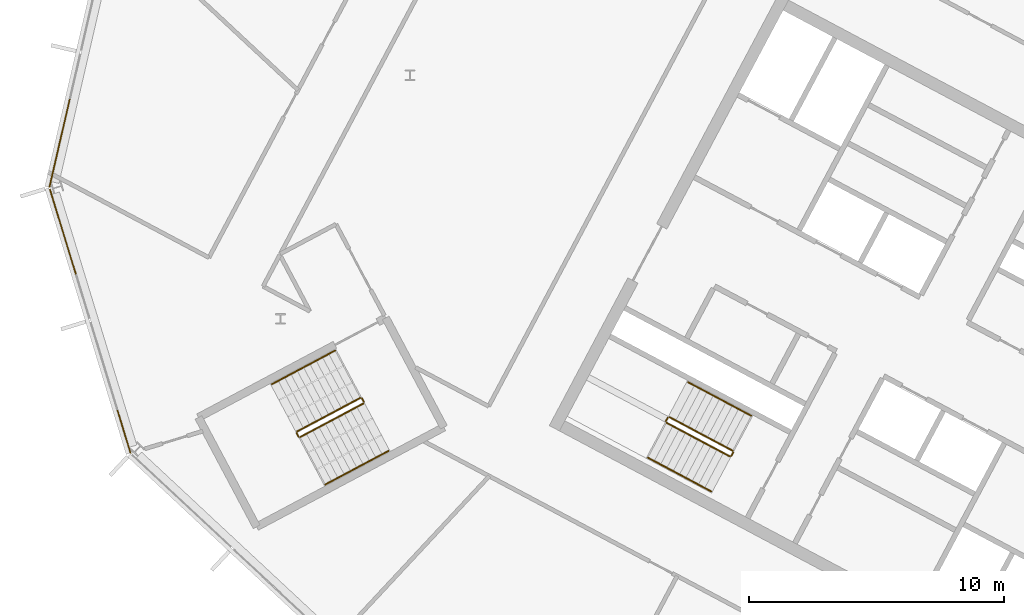
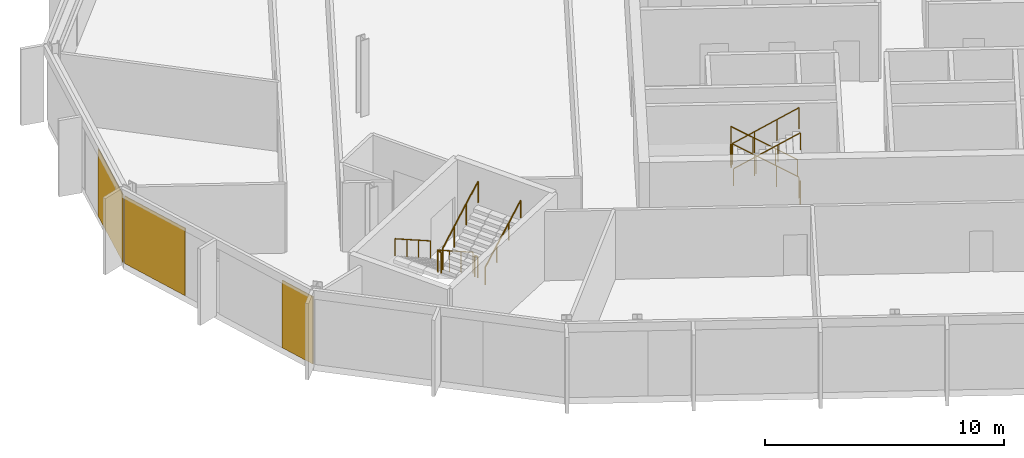
# One storey, part 20 of 25: 12 railings, 3 coverings, 2 elements without a shape of their own.
"""IFC4 building model written with IfcOpenShell, lengths in metres."""

from ifc_helpers import new_model, si_unit, direction, frame, origin, origin_2d, place, context, subcontext, project, spatial, polyline, rectangle, outline, extrude, material, layer, layer_set, type_object, element, aggregate, save


model = new_model("IFC4")

# Units and contexts
model_context = context("Model", 3, precision=1e-05, world=origin(), true_north=direction((0.0, 1.0)))
body_context = subcontext(model_context, "Body", "Model", "MODEL_VIEW")
ifc_project = project(units=[si_unit("LENGTHUNIT", "METRE"), si_unit("AREAUNIT", "SQUARE_METRE"), si_unit("VOLUMEUNIT", "CUBIC_METRE"), si_unit("PLANEANGLEUNIT", "RADIAN"), si_unit("MASSUNIT", "GRAM", prefix="KILO")], contexts=[model_context])

# Site, building, storey
site_placement = place(None, origin())
site = spatial("IfcSite", under=ifc_project, at=site_placement, CompositionType="ELEMENT")
building_placement = place(site_placement, origin())
building = spatial("IfcBuilding", under=site, at=building_placement, Name="Cormorant Relay Tower", CompositionType="ELEMENT")
storey_placement = place(building_placement, frame((0.0, 0.0, 297.0)))
storey = spatial("IfcBuildingStorey", under=building, at=storey_placement, Name="L67", CompositionType="ELEMENT", Elevation=297.0)

# Curtain wall, covering
ifc_material_1 = material(Name="Aluminium 6063-T6 anodised bronze", Category="aluminium")
ifc_layer_1 = layer(ifc_material_1, 0.199951171875)
ifc_layer_set_1 = layer_set([ifc_layer_1], Name="CW1 unitised bronze curtain wall with vertical fins")
curtain_wall_type = type_object("IfcCurtainWallType", Name="CW1 unitised bronze curtain wall with vertical fins", PredefinedType="NOTDEFINED", material=ifc_layer_set_1)
curtain_wall_1_placement = place(storey_placement, origin())
curtain_wall_1 = element("IfcCurtainWall", 1, at=curtain_wall_1_placement, inside=storey, type_object=curtain_wall_type, Name="CW1 curtain wall 13", PredefinedType="NOTDEFINED")
ifc_material_2 = material(Name="Pale bronze anodised aluminium insulated panel", Category="aluminium")
ifc_layer_2 = layer(ifc_material_2, 0.0400390625)
ifc_layer_set_2 = layer_set([ifc_layer_2], Name="CW1 pale bronze insulated panel 40")
covering_type = type_object("IfcCoveringType", Name="CW1 pale bronze insulated panel 40", PredefinedType="CLADDING", material=ifc_layer_set_2)
covering_1_placement = place(storey_placement, frame((-60.3388671875, 22.13232421875, 0.0), z_axis=(0.0, 0.0, 1.0), x_axis=(-0.224951054344, -0.974370064785, 0.0)))
covering_1 = element("IfcCovering", 2, at=covering_1_placement, type_object=covering_type, Name="CW1 panel S02", PredefinedType="CLADDING", context=body_context, shape_type="SweptSolid", body=[
    extrude(rectangle(XDim=3.560302734375, YDim=0.0400390625, at=origin_2d()), origin(), (0.0, 0.0, 1.0), 3.449951171875),
])
aggregate(curtain_wall_1, [covering_1])

# Curtain wall, coverings
curtain_wall_2_placement = place(storey_placement, origin())
curtain_wall_2 = element("IfcCurtainWall", 3, at=curtain_wall_2_placement, inside=storey, type_object=curtain_wall_type, Name="CW1 curtain wall 14", PredefinedType="NOTDEFINED")
covering_2_placement = place(storey_placement, frame((-60.20751953125, 18.6494140625, 0.0), z_axis=(0.0, 0.0, 1.0), x_axis=(0.292371704723, -0.956304755963, 0.0)))
covering_2 = element("IfcCovering", 4, at=covering_2_placement, type_object=covering_type, Name="CW1 panel S00", PredefinedType="CLADDING", context=body_context, shape_type="SweptSolid", body=[
    extrude(rectangle(XDim=3.485107421875, YDim=0.0400390625, at=origin_2d()), origin(), (0.0, 0.0, 1.0), 3.449951171875),
])
covering_3_placement = place(storey_placement, frame((-57.818115234375, 10.833740234375, 0.0), z_axis=(0.0, 0.0, 1.0), x_axis=(0.292371704723, -0.956304755963, 0.0)))
covering_3 = element("IfcCovering", 5, at=covering_3_placement, type_object=covering_type, Name="CW1 panel S03", PredefinedType="CLADDING", context=body_context, shape_type="SweptSolid", body=[
    extrude(rectangle(XDim=1.76025390625, YDim=0.0400390625, at=origin_2d()), origin(), (0.0, 0.0, 1.0), 3.449951171875),
])
aggregate(curtain_wall_2, [covering_2, covering_3])

# Railings
ifc_material_3 = material(Name="Steel ASTM A572 Grade 50 (Fy 345 MPa)", Category="steel")
railing_type_1 = type_object("IfcRailingType", Name="Stair guard 1100", PredefinedType="GUARDRAIL", material=ifc_material_3)
railing_1_placement = place(storey_placement, frame((-33.9921875, 10.08935546875, 0.17724609375)))
element("IfcRailing", 6, at=railing_1_placement, inside=storey, type_object=railing_type_1, Name="L67 A2 stair guard 1", PredefinedType="GUARDRAIL", context=body_context, shape_type="SweptSolid", body=[
    extrude(outline(polyline([(0.022216796875, 0.00927734375), (0.00927734375, 0.022216796875), (-0.00927734375, 0.022216796875), (-0.022216796875, 0.00927734375), (-0.022216796875, -0.00927734375), (-0.00927734375, -0.022216796875), (0.00927734375, -0.022216796875), (0.022216796875, -0.00927734375), (0.022216796875, 0.00927734375)])), frame((0.0, 0.0, 1.076171875), z_axis=(-0.746001213114, 0.396649272309, 0.534931345884), x_axis=(-0.469465464807, -0.882950835185, 0.0)), (0.0, 0.0, 1.0), 3.31396484375),
    extrude(outline(polyline([(0.019287109375, 0.008056640625), (0.008056640625, 0.019287109375), (-0.008056640625, 0.019287109375), (-0.019287109375, 0.008056640625), (-0.019287109375, -0.008056640625), (-0.008056640625, -0.019287109375), (0.008056640625, -0.019287109375), (0.019287109375, -0.008056640625), (0.019287109375, 0.008056640625)])), origin(), (0.0, 0.0, 1.0), 1.052001953125),
    extrude(outline(polyline([(0.019287109375, 0.008056640625), (0.008056640625, 0.019287109375), (-0.008056640625, 0.019287109375), (-0.019287109375, 0.008056640625), (-0.019287109375, -0.008056640625), (-0.008056640625, -0.019287109375), (0.008056640625, -0.019287109375), (0.019287109375, -0.008056640625), (0.019287109375, 0.008056640625)])), frame((-0.823974609375, 0.438232421875, 0.5908203125)), (0.0, 0.0, 1.0), 1.052001953125),
    extrude(outline(polyline([(0.019287109375, 0.008056640625), (0.008056640625, 0.019287109375), (-0.008056640625, 0.019287109375), (-0.019287109375, 0.008056640625), (-0.019287109375, -0.008056640625), (-0.008056640625, -0.019287109375), (0.008056640625, -0.019287109375), (0.019287109375, -0.008056640625), (0.019287109375, 0.008056640625)])), frame((-1.648193359375, 0.876220703125, 1.181884765625)), (0.0, 0.0, 1.0), 1.052001953125),
    extrude(outline(polyline([(0.019287109375, 0.008056640625), (0.008056640625, 0.019287109375), (-0.008056640625, 0.019287109375), (-0.019287109375, 0.008056640625), (-0.019287109375, -0.008056640625), (-0.008056640625, -0.019287109375), (0.008056640625, -0.019287109375), (0.019287109375, -0.008056640625), (0.019287109375, 0.008056640625)])), frame((-2.47216796875, 1.314453125, 1.772705078125)), (0.0, 0.0, 1.0), 1.052001953125),
])
railing_2_placement = place(storey_placement, frame((-36.531982421875, 11.38330078125, 1.949951171875)))
element("IfcRailing", 7, at=railing_2_placement, inside=storey, type_object=railing_type_1, Name="L67 A2 stair guard 2", PredefinedType="GUARDRAIL", context=body_context, shape_type="SweptSolid", body=[
    extrude(outline(polyline([(0.022216796875, 0.00927734375), (0.00927734375, 0.022216796875), (-0.00927734375, 0.022216796875), (-0.022216796875, 0.00927734375), (-0.022216796875, -0.00927734375), (-0.00927734375, -0.022216796875), (0.00927734375, -0.022216796875), (0.022216796875, -0.00927734375), (0.022216796875, 0.00927734375)])), frame((0.0, 0.0, 1.076171875), z_axis=(-0.469828648786, -0.882757634224, 0.0), x_axis=(0.882757634224, -0.469828648786, 0.0)), (0.0, 0.0, 1.0), 0.150146484375),
    extrude(outline(polyline([(0.019287109375, 0.008056640625), (0.008056640625, 0.019287109375), (-0.008056640625, 0.019287109375), (-0.019287109375, 0.008056640625), (-0.019287109375, -0.008056640625), (-0.008056640625, -0.019287109375), (0.008056640625, -0.019287109375), (0.019287109375, -0.008056640625), (0.019287109375, 0.008056640625)])), origin(), (0.0, 0.0, 1.0), 1.052001953125),
    extrude(outline(polyline([(0.019287109375, 0.008056640625), (0.008056640625, 0.019287109375), (-0.008056640625, 0.019287109375), (-0.019287109375, 0.008056640625), (-0.019287109375, -0.008056640625), (-0.008056640625, -0.019287109375), (0.008056640625, -0.019287109375), (0.019287109375, -0.008056640625), (0.019287109375, 0.008056640625)])), frame((-0.070556640625, -0.132568359375, 0.0)), (0.0, 0.0, 1.0), 1.052001953125),
])
railing_3_placement = place(storey_placement, frame((-36.581787109375, 11.18310546875, 2.127197265625)))
element("IfcRailing", 8, at=railing_3_placement, inside=storey, type_object=railing_type_1, Name="L67 A2 stair guard 3", PredefinedType="GUARDRAIL", context=body_context, shape_type="SweptSolid", body=[
    extrude(outline(polyline([(0.022216796875, 0.00927734375), (0.00927734375, 0.022216796875), (-0.00927734375, 0.022216796875), (-0.022216796875, 0.00927734375), (-0.022216796875, -0.00927734375), (-0.00927734375, -0.022216796875), (0.00927734375, -0.022216796875), (0.022216796875, -0.00927734375), (0.022216796875, 0.00927734375)])), frame((0.0, 0.0, 1.076171875), z_axis=(0.746001213114, -0.396649272309, 0.534931345884), x_axis=(0.469465464807, 0.882950835185, 0.0)), (0.0, 0.0, 1.0), 3.31396484375),
    extrude(outline(polyline([(0.019287109375, 0.008056640625), (0.008056640625, 0.019287109375), (-0.008056640625, 0.019287109375), (-0.019287109375, 0.008056640625), (-0.019287109375, -0.008056640625), (-0.008056640625, -0.019287109375), (0.008056640625, -0.019287109375), (0.019287109375, -0.008056640625), (0.019287109375, 0.008056640625)])), origin(), (0.0, 0.0, 1.0), 1.052001953125),
    extrude(outline(polyline([(0.019287109375, 0.008056640625), (0.008056640625, 0.019287109375), (-0.008056640625, 0.019287109375), (-0.019287109375, 0.008056640625), (-0.019287109375, -0.008056640625), (-0.008056640625, -0.019287109375), (0.008056640625, -0.019287109375), (0.019287109375, -0.008056640625), (0.019287109375, 0.008056640625)])), frame((0.823974609375, -0.438232421875, 0.5908203125)), (0.0, 0.0, 1.0), 1.052001953125),
    extrude(outline(polyline([(0.019287109375, 0.008056640625), (0.008056640625, 0.019287109375), (-0.008056640625, 0.019287109375), (-0.019287109375, 0.008056640625), (-0.019287109375, -0.008056640625), (-0.008056640625, -0.019287109375), (0.008056640625, -0.019287109375), (0.019287109375, -0.008056640625), (0.019287109375, 0.008056640625)])), frame((1.648193359375, -0.876220703125, 1.181884765625)), (0.0, 0.0, 1.0), 1.052001953125),
    extrude(outline(polyline([(0.019287109375, 0.008056640625), (0.008056640625, 0.019287109375), (-0.008056640625, 0.019287109375), (-0.019287109375, 0.008056640625), (-0.019287109375, -0.008056640625), (-0.008056640625, -0.019287109375), (0.008056640625, -0.019287109375), (0.019287109375, -0.008056640625), (0.019287109375, 0.008056640625)])), frame((2.47216796875, -1.314453125, 1.772705078125)), (0.0, 0.0, 1.0), 1.052001953125),
])
railing_4_placement = place(storey_placement, frame((-33.971435546875, 10.021728515625, 0.0)))
element("IfcRailing", 9, at=railing_4_placement, inside=storey, type_object=railing_type_1, Name="L67 A2 stair guard 4", PredefinedType="GUARDRAIL", context=body_context, shape_type="SweptSolid", body=[
    extrude(outline(polyline([(0.022216796875, 0.00927734375), (0.00927734375, 0.022216796875), (-0.00927734375, 0.022216796875), (-0.022216796875, 0.00927734375), (-0.022216796875, -0.00927734375), (-0.00927734375, -0.022216796875), (0.00927734375, -0.022216796875), (0.022216796875, -0.00927734375), (0.022216796875, 0.00927734375)])), frame((0.0, 0.0, 1.076171875), z_axis=(-0.470503732759, -0.882398003998, 0.0), x_axis=(0.882398003998, -0.470503732759, 0.0)), (0.0, 0.0, 1.0), 0.14990234375),
    extrude(outline(polyline([(0.019287109375, 0.008056640625), (0.008056640625, 0.019287109375), (-0.008056640625, 0.019287109375), (-0.019287109375, 0.008056640625), (-0.019287109375, -0.008056640625), (-0.008056640625, -0.019287109375), (0.008056640625, -0.019287109375), (0.019287109375, -0.008056640625), (0.019287109375, 0.008056640625)])), origin(), (0.0, 0.0, 1.0), 1.052001953125),
    extrude(outline(polyline([(0.019287109375, 0.008056640625), (0.008056640625, 0.019287109375), (-0.008056640625, 0.019287109375), (-0.019287109375, 0.008056640625), (-0.019287109375, -0.008056640625), (-0.008056640625, -0.019287109375), (0.008056640625, -0.019287109375), (0.019287109375, -0.008056640625), (0.019287109375, 0.008056640625)])), frame((-0.070556640625, -0.13232421875, 0.0)), (0.0, 0.0, 1.0), 1.052001953125),
])
railing_5_placement = place(storey_placement, frame((-48.5693359375, 12.155517578125, 0.17724609375)))
element("IfcRailing", 10, at=railing_5_placement, inside=storey, type_object=railing_type_1, Name="L67 RP1 stair guard 1", PredefinedType="GUARDRAIL", context=body_context, shape_type="SweptSolid", body=[
    extrude(outline(polyline([(0.022216796875, 0.00927734375), (0.00927734375, 0.022216796875), (-0.00927734375, 0.022216796875), (-0.022216796875, 0.00927734375), (-0.022216796875, -0.00927734375), (-0.00927734375, -0.022216796875), (0.00927734375, -0.022216796875), (0.022216796875, -0.00927734375), (0.022216796875, 0.00927734375)])), frame((0.0, 0.0, 1.076171875), z_axis=(-0.746012083385, -0.396689549623, 0.534886317514), x_axis=(0.469497295046, -0.882933910293, 0.0)), (0.0, 0.0, 1.0), 3.314208984375),
    extrude(outline(polyline([(0.019287109375, 0.008056640625), (0.008056640625, 0.019287109375), (-0.008056640625, 0.019287109375), (-0.019287109375, 0.008056640625), (-0.019287109375, -0.008056640625), (-0.008056640625, -0.019287109375), (0.008056640625, -0.019287109375), (0.019287109375, -0.008056640625), (0.019287109375, 0.008056640625)])), origin(), (0.0, 0.0, 1.0), 1.052001953125),
    extrude(outline(polyline([(0.019287109375, 0.008056640625), (0.008056640625, 0.019287109375), (-0.008056640625, 0.019287109375), (-0.019287109375, 0.008056640625), (-0.019287109375, -0.008056640625), (-0.008056640625, -0.019287109375), (0.008056640625, -0.019287109375), (0.019287109375, -0.008056640625), (0.019287109375, 0.008056640625)])), frame((-0.82421875, -0.438232421875, 0.5908203125)), (0.0, 0.0, 1.0), 1.052001953125),
    extrude(outline(polyline([(0.019287109375, 0.008056640625), (0.008056640625, 0.019287109375), (-0.008056640625, 0.019287109375), (-0.019287109375, 0.008056640625), (-0.019287109375, -0.008056640625), (-0.008056640625, -0.019287109375), (0.008056640625, -0.019287109375), (0.019287109375, -0.008056640625), (0.019287109375, 0.008056640625)])), frame((-1.648193359375, -0.87646484375, 1.181884765625)), (0.0, 0.0, 1.0), 1.052001953125),
    extrude(outline(polyline([(0.019287109375, 0.008056640625), (0.008056640625, 0.019287109375), (-0.008056640625, 0.019287109375), (-0.019287109375, 0.008056640625), (-0.019287109375, -0.008056640625), (-0.008056640625, -0.019287109375), (0.008056640625, -0.019287109375), (0.019287109375, -0.008056640625), (0.019287109375, 0.008056640625)])), frame((-2.472412109375, -1.314697265625, 1.772705078125)), (0.0, 0.0, 1.0), 1.052001953125),
])
railing_6_placement = place(storey_placement, frame((-51.062255859375, 10.773193359375, 1.949951171875)))
element("IfcRailing", 11, at=railing_6_placement, inside=storey, type_object=railing_type_1, Name="L67 RP1 stair guard 2", PredefinedType="GUARDRAIL", context=body_context, shape_type="SweptSolid", body=[
    extrude(outline(polyline([(0.022216796875, 0.00927734375), (0.00927734375, 0.022216796875), (-0.00927734375, 0.022216796875), (-0.022216796875, 0.00927734375), (-0.022216796875, -0.00927734375), (-0.00927734375, -0.022216796875), (0.00927734375, -0.022216796875), (0.022216796875, -0.00927734375), (0.022216796875, 0.00927734375)])), frame((0.0, 0.0, 1.076171875), z_axis=(0.469234640946, -0.883073525669, 0.0), x_axis=(0.883073525669, 0.469234640946, 0.0)), (0.0, 0.0, 1.0), 0.14990234375),
    extrude(outline(polyline([(0.019287109375, 0.008056640625), (0.008056640625, 0.019287109375), (-0.008056640625, 0.019287109375), (-0.019287109375, 0.008056640625), (-0.019287109375, -0.008056640625), (-0.008056640625, -0.019287109375), (0.008056640625, -0.019287109375), (0.019287109375, -0.008056640625), (0.019287109375, 0.008056640625)])), origin(), (0.0, 0.0, 1.0), 1.052001953125),
    extrude(outline(polyline([(0.019287109375, 0.008056640625), (0.008056640625, 0.019287109375), (-0.008056640625, 0.019287109375), (-0.019287109375, 0.008056640625), (-0.019287109375, -0.008056640625), (-0.008056640625, -0.019287109375), (0.008056640625, -0.019287109375), (0.019287109375, -0.008056640625), (0.019287109375, 0.008056640625)])), frame((0.0703125, -0.13232421875, 0.0)), (0.0, 0.0, 1.0), 1.052001953125),
])
railing_7_placement = place(storey_placement, frame((-50.92431640625, 10.6201171875, 2.127197265625)))
element("IfcRailing", 12, at=railing_7_placement, inside=storey, type_object=railing_type_1, Name="L67 RP1 stair guard 3", PredefinedType="GUARDRAIL", context=body_context, shape_type="SweptSolid", body=[
    extrude(outline(polyline([(0.022216796875, 0.00927734375), (0.00927734375, 0.022216796875), (-0.00927734375, 0.022216796875), (-0.022216796875, 0.00927734375), (-0.022216796875, -0.00927734375), (-0.00927734375, -0.022216796875), (0.00927734375, -0.022216796875), (0.022216796875, -0.00927734375), (0.022216796875, 0.00927734375)])), frame((0.0, 0.0, 1.076171875), z_axis=(0.746033882577, 0.396627473466, 0.534901947407), x_axis=(-0.469429322983, 0.882970050864, 0.0)), (0.0, 0.0, 1.0), 3.31396484375),
    extrude(outline(polyline([(0.019287109375, 0.008056640625), (0.008056640625, 0.019287109375), (-0.008056640625, 0.019287109375), (-0.019287109375, 0.008056640625), (-0.019287109375, -0.008056640625), (-0.008056640625, -0.019287109375), (0.008056640625, -0.019287109375), (0.019287109375, -0.008056640625), (0.019287109375, 0.008056640625)])), origin(), (0.0, 0.0, 1.0), 1.052001953125),
    extrude(outline(polyline([(0.019287109375, 0.008056640625), (0.008056640625, 0.019287109375), (-0.008056640625, 0.019287109375), (-0.019287109375, 0.008056640625), (-0.019287109375, -0.008056640625), (-0.008056640625, -0.019287109375), (0.008056640625, -0.019287109375), (0.019287109375, -0.008056640625), (0.019287109375, 0.008056640625)])), frame((0.82421875, 0.438232421875, 0.5908203125)), (0.0, 0.0, 1.0), 1.052001953125),
    extrude(outline(polyline([(0.019287109375, 0.008056640625), (0.008056640625, 0.019287109375), (-0.008056640625, 0.019287109375), (-0.019287109375, 0.008056640625), (-0.019287109375, -0.008056640625), (-0.008056640625, -0.019287109375), (0.008056640625, -0.019287109375), (0.019287109375, -0.008056640625), (0.019287109375, 0.008056640625)])), frame((1.648193359375, 0.876220703125, 1.181884765625)), (0.0, 0.0, 1.0), 1.052001953125),
    extrude(outline(polyline([(0.019287109375, 0.008056640625), (0.008056640625, 0.019287109375), (-0.008056640625, 0.019287109375), (-0.019287109375, 0.008056640625), (-0.019287109375, -0.008056640625), (-0.008056640625, -0.019287109375), (0.008056640625, -0.019287109375), (0.019287109375, -0.008056640625), (0.019287109375, 0.008056640625)])), frame((2.472412109375, 1.314453125, 1.772705078125)), (0.0, 0.0, 1.0), 1.052001953125),
])
railing_8_placement = place(storey_placement, frame((-48.501708984375, 12.134765625, 0.0)))
element("IfcRailing", 13, at=railing_8_placement, inside=storey, type_object=railing_type_1, Name="L67 RP1 stair guard 4", PredefinedType="GUARDRAIL", context=body_context, shape_type="SweptSolid", body=[
    extrude(outline(polyline([(0.022216796875, 0.00927734375), (0.00927734375, 0.022216796875), (-0.00927734375, 0.022216796875), (-0.022216796875, 0.00927734375), (-0.022216796875, -0.00927734375), (-0.00927734375, -0.022216796875), (0.00927734375, -0.022216796875), (0.022216796875, -0.00927734375), (0.022216796875, 0.00927734375)])), frame((0.0, 0.0, 1.076171875), z_axis=(0.46856034887, -0.8834314911, 0.0), x_axis=(0.8834314911, 0.46856034887, 0.0)), (0.0, 0.0, 1.0), 0.150146484375),
    extrude(outline(polyline([(0.019287109375, 0.008056640625), (0.008056640625, 0.019287109375), (-0.008056640625, 0.019287109375), (-0.019287109375, 0.008056640625), (-0.019287109375, -0.008056640625), (-0.008056640625, -0.019287109375), (0.008056640625, -0.019287109375), (0.019287109375, -0.008056640625), (0.019287109375, 0.008056640625)])), origin(), (0.0, 0.0, 1.0), 1.052001953125),
    extrude(outline(polyline([(0.019287109375, 0.008056640625), (0.008056640625, 0.019287109375), (-0.008056640625, 0.019287109375), (-0.019287109375, 0.008056640625), (-0.019287109375, -0.008056640625), (-0.008056640625, -0.019287109375), (0.008056640625, -0.019287109375), (0.019287109375, -0.008056640625), (0.019287109375, 0.008056640625)])), frame((0.0703125, -0.132568359375, 0.0)), (0.0, 0.0, 1.0), 1.052001953125),
])
ifc_material_4 = material(Name="Steel ASTM A572 Grade 50 (Fy 345 MPa)", Category="steel")
railing_type_2 = type_object("IfcRailingType", Name="Stair handrail 900", PredefinedType="HANDRAIL", material=ifc_material_4)
railing_9_placement = place(storey_placement, frame((-33.264404296875, 11.4580078125, 0.17724609375)))
element("IfcRailing", 14, at=railing_9_placement, inside=storey, type_object=railing_type_2, Name="L67 A2 stair handrail 1", PredefinedType="HANDRAIL", context=body_context, shape_type="SweptSolid", body=[
    extrude(outline(polyline([(0.022216796875, 0.00927734375), (0.00927734375, 0.022216796875), (-0.00927734375, 0.022216796875), (-0.022216796875, 0.00927734375), (-0.022216796875, -0.00927734375), (-0.00927734375, -0.022216796875), (0.00927734375, -0.022216796875), (0.022216796875, -0.00927734375), (0.022216796875, 0.00927734375)])), frame((0.0, 0.0, 0.8759765625), z_axis=(-0.746033882577, 0.396627473466, 0.534901947407), x_axis=(-0.469429322983, -0.882970050864, 0.0)), (0.0, 0.0, 1.0), 3.31396484375),
    extrude(outline(polyline([(0.019287109375, 0.008056640625), (0.008056640625, 0.019287109375), (-0.008056640625, 0.019287109375), (-0.019287109375, 0.008056640625), (-0.019287109375, -0.008056640625), (-0.008056640625, -0.019287109375), (0.008056640625, -0.019287109375), (0.019287109375, -0.008056640625), (0.019287109375, 0.008056640625)])), origin(), (0.0, 0.0, 1.0), 0.851806640625),
    extrude(outline(polyline([(0.019287109375, 0.008056640625), (0.008056640625, 0.019287109375), (-0.008056640625, 0.019287109375), (-0.019287109375, 0.008056640625), (-0.019287109375, -0.008056640625), (-0.008056640625, -0.019287109375), (0.008056640625, -0.019287109375), (0.019287109375, -0.008056640625), (0.019287109375, 0.008056640625)])), frame((-0.82421875, 0.438232421875, 0.5908203125)), (0.0, 0.0, 1.0), 0.851806640625),
    extrude(outline(polyline([(0.019287109375, 0.008056640625), (0.008056640625, 0.019287109375), (-0.008056640625, 0.019287109375), (-0.019287109375, 0.008056640625), (-0.019287109375, -0.008056640625), (-0.008056640625, -0.019287109375), (0.008056640625, -0.019287109375), (0.019287109375, -0.008056640625), (0.019287109375, 0.008056640625)])), frame((-1.648193359375, 0.876220703125, 1.181884765625)), (0.0, 0.0, 1.0), 0.851806640625),
    extrude(outline(polyline([(0.019287109375, 0.008056640625), (0.008056640625, 0.019287109375), (-0.008056640625, 0.019287109375), (-0.019287109375, 0.008056640625), (-0.019287109375, -0.008056640625), (-0.008056640625, -0.019287109375), (0.008056640625, -0.019287109375), (0.019287109375, -0.008056640625), (0.019287109375, 0.008056640625)])), frame((-2.472412109375, 1.314453125, 1.772705078125)), (0.0, 0.0, 1.0), 0.851806640625),
])
railing_10_placement = place(storey_placement, frame((-37.3095703125, 9.814453125, 2.127197265625)))
element("IfcRailing", 15, at=railing_10_placement, inside=storey, type_object=railing_type_2, Name="L67 A2 stair handrail 2", PredefinedType="HANDRAIL", context=body_context, shape_type="SweptSolid", body=[
    extrude(outline(polyline([(0.022216796875, 0.00927734375), (0.00927734375, 0.022216796875), (-0.00927734375, 0.022216796875), (-0.022216796875, 0.00927734375), (-0.022216796875, -0.00927734375), (-0.00927734375, -0.022216796875), (0.00927734375, -0.022216796875), (0.022216796875, -0.00927734375), (0.022216796875, 0.00927734375)])), frame((0.0, 0.0, 0.8759765625), z_axis=(0.746033882577, -0.396627473466, 0.534901947407), x_axis=(0.469429322983, 0.882970050864, 0.0)), (0.0, 0.0, 1.0), 3.31396484375),
    extrude(outline(polyline([(0.019287109375, 0.008056640625), (0.008056640625, 0.019287109375), (-0.008056640625, 0.019287109375), (-0.019287109375, 0.008056640625), (-0.019287109375, -0.008056640625), (-0.008056640625, -0.019287109375), (0.008056640625, -0.019287109375), (0.019287109375, -0.008056640625), (0.019287109375, 0.008056640625)])), origin(), (0.0, 0.0, 1.0), 0.851806640625),
    extrude(outline(polyline([(0.019287109375, 0.008056640625), (0.008056640625, 0.019287109375), (-0.008056640625, 0.019287109375), (-0.019287109375, 0.008056640625), (-0.019287109375, -0.008056640625), (-0.008056640625, -0.019287109375), (0.008056640625, -0.019287109375), (0.019287109375, -0.008056640625), (0.019287109375, 0.008056640625)])), frame((0.82421875, -0.438232421875, 0.5908203125)), (0.0, 0.0, 1.0), 0.851806640625),
    extrude(outline(polyline([(0.019287109375, 0.008056640625), (0.008056640625, 0.019287109375), (-0.008056640625, 0.019287109375), (-0.019287109375, 0.008056640625), (-0.019287109375, -0.008056640625), (-0.008056640625, -0.019287109375), (0.008056640625, -0.019287109375), (0.019287109375, -0.008056640625), (0.019287109375, 0.008056640625)])), frame((1.648193359375, -0.876220703125, 1.181884765625)), (0.0, 0.0, 1.0), 0.851806640625),
    extrude(outline(polyline([(0.019287109375, 0.008056640625), (0.008056640625, 0.019287109375), (-0.008056640625, 0.019287109375), (-0.019287109375, 0.008056640625), (-0.019287109375, -0.008056640625), (-0.008056640625, -0.019287109375), (0.008056640625, -0.019287109375), (0.019287109375, -0.008056640625), (0.019287109375, 0.008056640625)])), frame((2.472412109375, -1.314453125, 1.772705078125)), (0.0, 0.0, 1.0), 0.851806640625),
])
railing_11_placement = place(storey_placement, frame((-49.55517578125, 14.009521484375, 0.17724609375)))
element("IfcRailing", 16, at=railing_11_placement, inside=storey, type_object=railing_type_2, Name="L67 RP1 stair handrail 1", PredefinedType="HANDRAIL", context=body_context, shape_type="SweptSolid", body=[
    extrude(outline(polyline([(0.022216796875, 0.00927734375), (0.00927734375, 0.022216796875), (-0.00927734375, 0.022216796875), (-0.022216796875, 0.00927734375), (-0.022216796875, -0.00927734375), (-0.00927734375, -0.022216796875), (0.00927734375, -0.022216796875), (0.022216796875, -0.00927734375), (0.022216796875, 0.00927734375)])), frame((0.0, 0.0, 0.8759765625), z_axis=(-0.746033882577, -0.396627473466, 0.534901947407), x_axis=(0.469429322983, -0.882970050864, 0.0)), (0.0, 0.0, 1.0), 3.31396484375),
    extrude(outline(polyline([(0.019287109375, 0.008056640625), (0.008056640625, 0.019287109375), (-0.008056640625, 0.019287109375), (-0.019287109375, 0.008056640625), (-0.019287109375, -0.008056640625), (-0.008056640625, -0.019287109375), (0.008056640625, -0.019287109375), (0.019287109375, -0.008056640625), (0.019287109375, 0.008056640625)])), origin(), (0.0, 0.0, 1.0), 0.851806640625),
    extrude(outline(polyline([(0.019287109375, 0.008056640625), (0.008056640625, 0.019287109375), (-0.008056640625, 0.019287109375), (-0.019287109375, 0.008056640625), (-0.019287109375, -0.008056640625), (-0.008056640625, -0.019287109375), (0.008056640625, -0.019287109375), (0.019287109375, -0.008056640625), (0.019287109375, 0.008056640625)])), frame((-0.82421875, -0.438232421875, 0.5908203125)), (0.0, 0.0, 1.0), 0.851806640625),
    extrude(outline(polyline([(0.019287109375, 0.008056640625), (0.008056640625, 0.019287109375), (-0.008056640625, 0.019287109375), (-0.019287109375, 0.008056640625), (-0.019287109375, -0.008056640625), (-0.008056640625, -0.019287109375), (0.008056640625, -0.019287109375), (0.019287109375, -0.008056640625), (0.019287109375, 0.008056640625)])), frame((-1.648193359375, -0.876220703125, 1.181884765625)), (0.0, 0.0, 1.0), 0.851806640625),
    extrude(outline(polyline([(0.019287109375, 0.008056640625), (0.008056640625, 0.019287109375), (-0.008056640625, 0.019287109375), (-0.019287109375, 0.008056640625), (-0.019287109375, -0.008056640625), (-0.008056640625, -0.019287109375), (0.008056640625, -0.019287109375), (0.019287109375, -0.008056640625), (0.019287109375, 0.008056640625)])), frame((-2.472412109375, -1.314453125, 1.772705078125)), (0.0, 0.0, 1.0), 0.851806640625),
])
railing_12_placement = place(storey_placement, frame((-49.9384765625, 8.765869140625, 2.127197265625)))
element("IfcRailing", 17, at=railing_12_placement, inside=storey, type_object=railing_type_2, Name="L67 RP1 stair handrail 2", PredefinedType="HANDRAIL", context=body_context, shape_type="SweptSolid", body=[
    extrude(outline(polyline([(0.022216796875, 0.00927734375), (0.00927734375, 0.022216796875), (-0.00927734375, 0.022216796875), (-0.022216796875, 0.00927734375), (-0.022216796875, -0.00927734375), (-0.00927734375, -0.022216796875), (0.00927734375, -0.022216796875), (0.022216796875, -0.00927734375), (0.022216796875, 0.00927734375)])), frame((0.0, 0.0, 0.8759765625), z_axis=(0.746012083385, 0.396689549623, 0.534886317514), x_axis=(-0.469497295046, 0.882933910293, 0.0)), (0.0, 0.0, 1.0), 3.314208984375),
    extrude(outline(polyline([(0.019287109375, 0.008056640625), (0.008056640625, 0.019287109375), (-0.008056640625, 0.019287109375), (-0.019287109375, 0.008056640625), (-0.019287109375, -0.008056640625), (-0.008056640625, -0.019287109375), (0.008056640625, -0.019287109375), (0.019287109375, -0.008056640625), (0.019287109375, 0.008056640625)])), origin(), (0.0, 0.0, 1.0), 0.851806640625),
    extrude(outline(polyline([(0.019287109375, 0.008056640625), (0.008056640625, 0.019287109375), (-0.008056640625, 0.019287109375), (-0.019287109375, 0.008056640625), (-0.019287109375, -0.008056640625), (-0.008056640625, -0.019287109375), (0.008056640625, -0.019287109375), (0.019287109375, -0.008056640625), (0.019287109375, 0.008056640625)])), frame((0.82421875, 0.438232421875, 0.5908203125)), (0.0, 0.0, 1.0), 0.851806640625),
    extrude(outline(polyline([(0.019287109375, 0.008056640625), (0.008056640625, 0.019287109375), (-0.008056640625, 0.019287109375), (-0.019287109375, 0.008056640625), (-0.019287109375, -0.008056640625), (-0.008056640625, -0.019287109375), (0.008056640625, -0.019287109375), (0.019287109375, -0.008056640625), (0.019287109375, 0.008056640625)])), frame((1.648193359375, 0.87646484375, 1.181884765625)), (0.0, 0.0, 1.0), 0.851806640625),
    extrude(outline(polyline([(0.019287109375, 0.008056640625), (0.008056640625, 0.019287109375), (-0.008056640625, 0.019287109375), (-0.019287109375, 0.008056640625), (-0.019287109375, -0.008056640625), (-0.008056640625, -0.019287109375), (0.008056640625, -0.019287109375), (0.019287109375, -0.008056640625), (0.019287109375, 0.008056640625)])), frame((2.472412109375, 1.314697265625, 1.772705078125)), (0.0, 0.0, 1.0), 0.851806640625),
])

save(model, "model.ifc")
